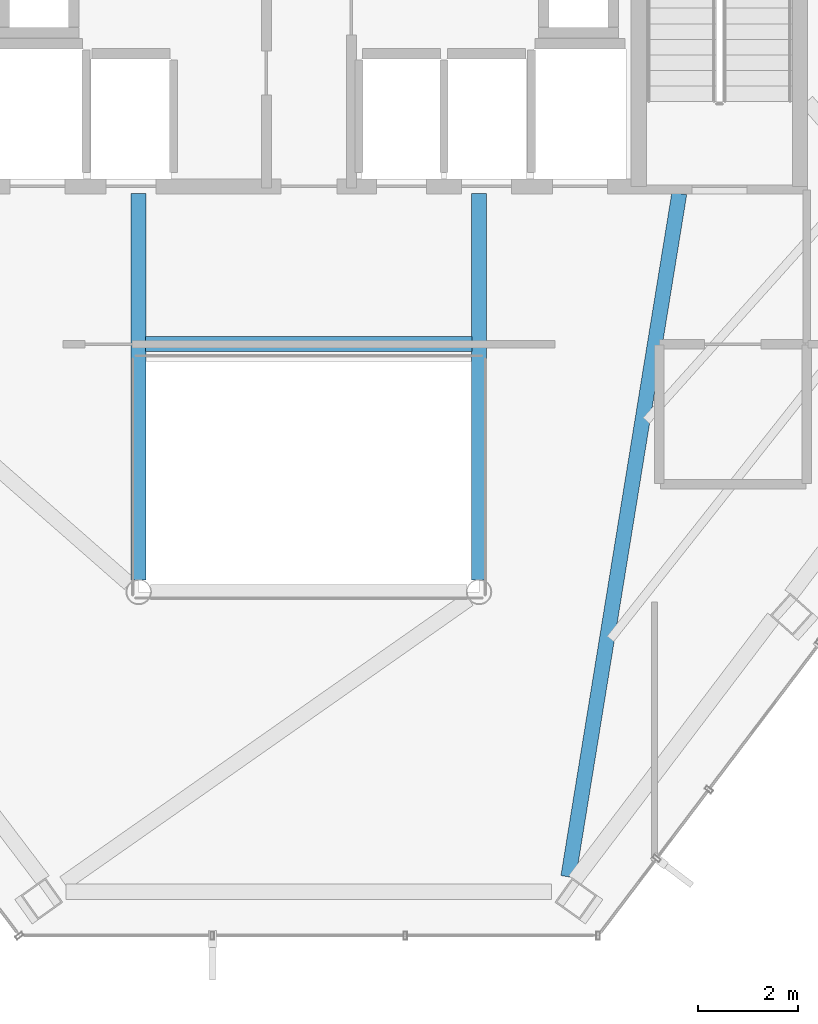
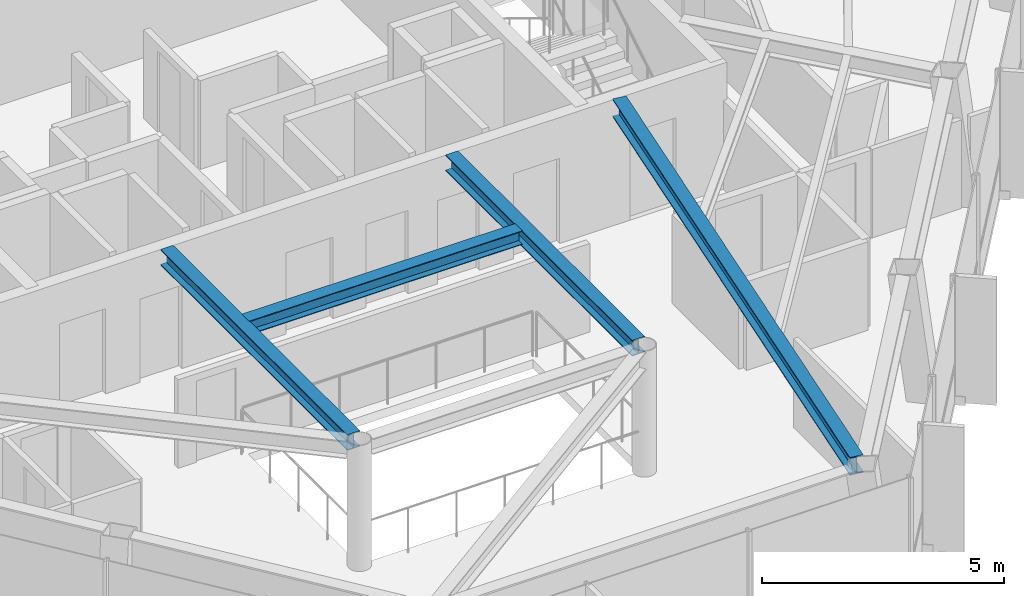
# One storey, part 9 of 27: 4 beams.
"""IFC4 building model written with IfcOpenShell, lengths in metres."""

from ifc_helpers import new_model, si_unit, direction, frame, origin, origin_2d, place, context, subcontext, project, spatial, i_section, extrude, material, material_profile, profile_set, type_object, element, save


model = new_model("IFC4")

# Units and contexts
model_context = context("Model", 3, precision=1e-05, world=origin(), true_north=direction((0.0, 1.0)))
body_context = subcontext(model_context, "Body", "Model", "MODEL_VIEW")
ifc_project = project(units=[si_unit("LENGTHUNIT", "METRE"), si_unit("AREAUNIT", "SQUARE_METRE"), si_unit("VOLUMEUNIT", "CUBIC_METRE"), si_unit("PLANEANGLEUNIT", "RADIAN"), si_unit("MASSUNIT", "GRAM", prefix="KILO")], contexts=[model_context])

# Site, building, storey
site_placement = place(None, origin())
site = spatial("IfcSite", under=ifc_project, at=site_placement, CompositionType="ELEMENT")
building_placement = place(site_placement, origin())
building = spatial("IfcBuilding", under=site, at=building_placement, Name="Zarrinselat Tower", CompositionType="ELEMENT")
storey_placement = place(building_placement, frame((0.0, 0.0, 235.9599609375)))
storey = spatial("IfcBuildingStorey", under=building, at=storey_placement, Name="L59", CompositionType="ELEMENT", Elevation=235.9599609375)

# Beams
ifc_material_1 = material(Name="Steel S355J2", Category="steel")
ifc_material_profile_1 = material_profile(ifc_material_1, i_section(OverallWidth=0.300048828125, OverallDepth=0.35009765625, WebThickness=0.010009765625, FlangeThickness=0.017578125, at=origin_2d()), Name="HEA 360")
ifc_profile_set_1 = profile_set([ifc_material_profile_1], Name="Steel S355J2")
beam_type_1 = type_object("IfcBeamType", Name="BM-HEA360", PredefinedType="LINTEL", material=ifc_profile_set_1)
beam_1_placement = place(storey_placement, frame((35.139892578125, 30.14990234375, 3.005126953125), z_axis=(1.0, 0.0, 0.0), x_axis=(0.0, 1.0, 0.0)))
element("IfcBeam", 1, at=beam_1_placement, inside=storey, type_object=beam_type_1, Name="L59 Lift Lobby Ceiling Beam", PredefinedType="LINTEL", context=body_context, shape_type="SweptSolid", body=[
    extrude(i_section(OverallWidth=0.300048828125, OverallDepth=0.35009765625, WebThickness=0.010009765625, FlangeThickness=0.017578125, at=origin_2d()), origin(), (0.0, 0.0, 1.0), 6.52001953125),
])
ifc_material_2 = material(Name="Steel S355J2", Category="steel")
ifc_material_profile_2 = material_profile(ifc_material_2, i_section(OverallWidth=0.300048828125, OverallDepth=0.39990234375, WebThickness=0.013427734375, FlangeThickness=0.02392578125, at=origin_2d()), Name="HEB 400")
ifc_profile_set_2 = profile_set([ifc_material_profile_2], Name="Steel S355J2")
beam_type_2 = type_object("IfcBeamType", Name="BM-HEB400", PredefinedType="BEAM", material=ifc_profile_set_2)
for number, where, z_axis, x_axis, name in (
    (2, (35.0, 25.43994140625, 2.97998046875), (0.0, 1.0, 0.0), (-1.0, 0.0, 0.0), "L59 Atrium Edge Beam W"),
    (3, (41.800048828125, 25.43994140625, 2.97998046875), (0.0, 1.0, 0.0), (-1.0, 0.0, 0.0), "L59 Atrium Edge Beam E"),
):
    element("IfcBeam", number, at=place(storey_placement, frame(where, z_axis=z_axis, x_axis=x_axis)), inside=storey, type_object=beam_type_2, Name=name, PredefinedType="BEAM", context=body_context, shape_type="SweptSolid", body=[
        extrude(i_section(OverallWidth=0.300048828125, OverallDepth=0.39990234375, WebThickness=0.013427734375, FlangeThickness=0.02392578125, at=origin_2d()), origin(), (0.0, 0.0, 1.0), 7.719970703125),
    ])
ifc_material_3 = material(Name="Steel S355J2", Category="steel")
ifc_material_profile_3 = material_profile(ifc_material_3, i_section(OverallWidth=0.300048828125, OverallDepth=0.449951171875, WebThickness=0.013916015625, FlangeThickness=0.02587890625, at=origin_2d()), Name="HEB 450")
ifc_profile_set_3 = profile_set([ifc_material_profile_3], Name="Steel S355J2")
beam_type_3 = type_object("IfcBeamType", Name="BM-HEB450", PredefinedType="BEAM", material=ifc_profile_set_3)
beam_2_placement = place(storey_placement, frame((43.58349609375, 19.5107421875, 2.955078125), z_axis=(0.160294795681, 0.987069186267, 0.0), x_axis=(-0.987069186267, 0.160294795681, 0.0)))
element("IfcBeam", 4, at=beam_2_placement, inside=storey, type_object=beam_type_3, Name="L59 Radial Primary Girder RG11", PredefinedType="BEAM", context=body_context, shape_type="SweptSolid", body=[
    extrude(i_section(OverallWidth=0.300048828125, OverallDepth=0.449951171875, WebThickness=0.013916015625, FlangeThickness=0.02587890625, at=origin_2d()), origin(), (0.0, 0.0, 1.0), 13.827880859375),
])

save(model, "model.ifc")
